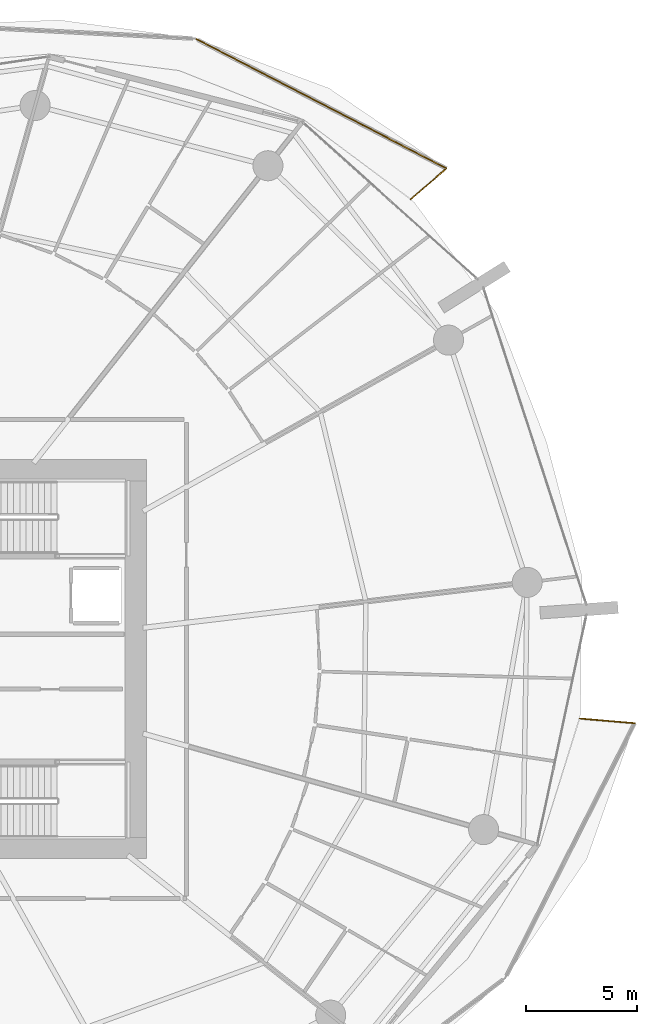
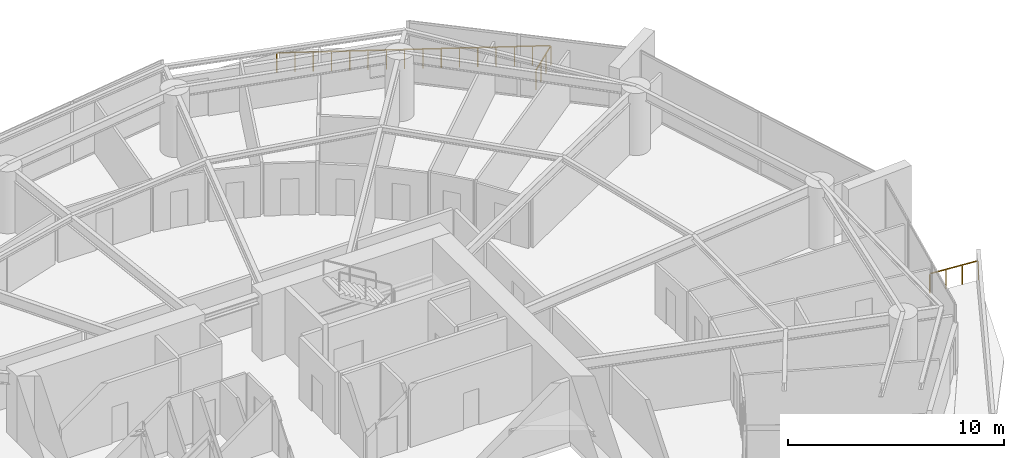
# One storey, part 31 of 31: 3 railings.
"""IFC4 building model written with IfcOpenShell, lengths in metres."""

from ifc_helpers import new_model, si_unit, direction, frame, origin, origin_2d, place, context, subcontext, project, spatial, rectangle, extrude, material, type_object, element, save


model = new_model("IFC4")

# Units and contexts
model_context = context("Model", 3, precision=1e-05, world=origin(), true_north=direction((0.0, 1.0)))
body_context = subcontext(model_context, "Body", "Model", "MODEL_VIEW")
ifc_project = project(units=[si_unit("LENGTHUNIT", "METRE"), si_unit("AREAUNIT", "SQUARE_METRE"), si_unit("VOLUMEUNIT", "CUBIC_METRE"), si_unit("PLANEANGLEUNIT", "RADIAN"), si_unit("MASSUNIT", "GRAM", prefix="KILO")], contexts=[model_context])

# Site, building, storey
site_placement = place(None, origin())
site = spatial("IfcSite", under=ifc_project, at=site_placement, CompositionType="ELEMENT")
building_placement = place(site_placement, origin())
building = spatial("IfcBuilding", under=site, at=building_placement, Name="Kazma Halo Residences", CompositionType="ELEMENT")
storey_placement = place(building_placement, frame((0.0, 0.0, 52.64990234375)))
storey = spatial("IfcBuildingStorey", under=building, at=storey_placement, Name="L12", CompositionType="ELEMENT", Elevation=52.64990234375)

# Railings
ifc_material = material(Name="Aluminium AW-6063 T6 Brushed Cap Rail", Category="aluminium")
railing_type = type_object("IfcRailingType", Name="RLG-BAL-CAP-1120", PredefinedType="BALUSTRADE", material=ifc_material)
railing_1_placement = place(storey_placement, frame((71.875732421875, 62.645263671875, 0.0)))
element("IfcRailing", 1, at=railing_1_placement, inside=storey, type_object=railing_type, Name="L12 NE wave balcony guard 1", PredefinedType="BALUSTRADE", context=body_context, shape_type="SweptSolid", body=[
    extrude(rectangle(XDim=0.050048828125, YDim=0.050048828125, at=origin_2d()), frame((0.0322265625, 0.02783203125, 1.09521484375), z_axis=(0.756401812862, 0.65410725229, 0.0), x_axis=(-0.65410725229, 0.756401812862, 0.0)), (0.0, 0.0, 1.0), 2.027099609375),
    extrude(rectangle(XDim=0.0400390625, YDim=0.0400390625, at=origin_2d()), origin(), (0.0, 0.0, 1.0), 1.05810546875),
    extrude(rectangle(XDim=0.0400390625, YDim=0.0400390625, at=origin_2d()), frame((0.532470703125, 0.46044921875, 0.0)), (0.0, 0.0, 1.0), 1.05810546875),
    extrude(rectangle(XDim=0.0400390625, YDim=0.0400390625, at=origin_2d()), frame((1.065185546875, 0.921142578125, 0.0)), (0.0, 0.0, 1.0), 1.05810546875),
    extrude(rectangle(XDim=0.0400390625, YDim=0.0400390625, at=origin_2d()), frame((1.59765625, 1.381591796875, 0.0)), (0.0, 0.0, 1.0), 1.05810546875),
])
railing_2_placement = place(storey_placement, frame((73.473388671875, 64.02685546875, 0.0)))
element("IfcRailing", 2, at=railing_2_placement, inside=storey, type_object=railing_type, Name="L12 NE wave balcony guard 2", PredefinedType="BALUSTRADE", context=body_context, shape_type="SweptSolid", body=[
    extrude(rectangle(XDim=0.050048828125, YDim=0.050048828125, at=origin_2d()), frame((-0.037841796875, 0.01953125, 1.09521484375), z_axis=(-0.888173808226, 0.459507656499, 0.0), x_axis=(-0.459507656499, -0.888173808226, 0.0)), (0.0, 0.0, 1.0), 12.612060546875),
    extrude(rectangle(XDim=0.0400390625, YDim=0.0400390625, at=origin_2d()), origin(), (0.0, 0.0, 1.0), 1.05810546875),
    extrude(rectangle(XDim=0.0400390625, YDim=0.0400390625, at=origin_2d()), frame((-0.751708984375, 0.388916015625, 0.0)), (0.0, 0.0, 1.0), 1.05810546875),
    extrude(rectangle(XDim=0.0400390625, YDim=0.0400390625, at=origin_2d()), frame((-1.503662109375, 0.77783203125, 0.0)), (0.0, 0.0, 1.0), 1.05810546875),
    extrude(rectangle(XDim=0.0400390625, YDim=0.0400390625, at=origin_2d()), frame((-2.25537109375, 1.1669921875, 0.0)), (0.0, 0.0, 1.0), 1.05810546875),
    extrude(rectangle(XDim=0.0400390625, YDim=0.0400390625, at=origin_2d()), frame((-3.00732421875, 1.555908203125, 0.0)), (0.0, 0.0, 1.0), 1.05810546875),
    extrude(rectangle(XDim=0.0400390625, YDim=0.0400390625, at=origin_2d()), frame((-3.759033203125, 1.94482421875, 0.0)), (0.0, 0.0, 1.0), 1.05810546875),
    extrude(rectangle(XDim=0.0400390625, YDim=0.0400390625, at=origin_2d()), frame((-4.510986328125, 2.333740234375, 0.0)), (0.0, 0.0, 1.0), 1.05810546875),
    extrude(rectangle(XDim=0.0400390625, YDim=0.0400390625, at=origin_2d()), frame((-5.2626953125, 2.72265625, 0.0)), (0.0, 0.0, 1.0), 1.05810546875),
    extrude(rectangle(XDim=0.0400390625, YDim=0.0400390625, at=origin_2d()), frame((-6.0146484375, 3.11181640625, 0.0)), (0.0, 0.0, 1.0), 1.05810546875),
    extrude(rectangle(XDim=0.0400390625, YDim=0.0400390625, at=origin_2d()), frame((-6.766357421875, 3.500732421875, 0.0)), (0.0, 0.0, 1.0), 1.05810546875),
    extrude(rectangle(XDim=0.0400390625, YDim=0.0400390625, at=origin_2d()), frame((-7.518310546875, 3.8896484375, 0.0)), (0.0, 0.0, 1.0), 1.05810546875),
    extrude(rectangle(XDim=0.0400390625, YDim=0.0400390625, at=origin_2d()), frame((-8.27001953125, 4.278564453125, 0.0)), (0.0, 0.0, 1.0), 1.05810546875),
    extrude(rectangle(XDim=0.0400390625, YDim=0.0400390625, at=origin_2d()), frame((-9.02197265625, 4.66748046875, 0.0)), (0.0, 0.0, 1.0), 1.05810546875),
    extrude(rectangle(XDim=0.0400390625, YDim=0.0400390625, at=origin_2d()), frame((-9.773681640625, 5.056640625, 0.0)), (0.0, 0.0, 1.0), 1.05810546875),
    extrude(rectangle(XDim=0.0400390625, YDim=0.0400390625, at=origin_2d()), frame((-10.525634765625, 5.445556640625, 0.0)), (0.0, 0.0, 1.0), 1.05810546875),
    extrude(rectangle(XDim=0.0400390625, YDim=0.0400390625, at=origin_2d()), frame((-11.27734375, 5.83447265625, 0.0)), (0.0, 0.0, 1.0), 1.05810546875),
])
railing_3_placement = place(storey_placement, frame((81.924560546875, 39.12158203125, 0.0)))
element("IfcRailing", 3, at=railing_3_placement, inside=storey, type_object=railing_type, Name="L12 SE wave balcony guard 4", PredefinedType="BALUSTRADE", context=body_context, shape_type="SweptSolid", body=[
    extrude(rectangle(XDim=0.050048828125, YDim=0.050048828125, at=origin_2d()), frame((-0.04248046875, 0.003662109375, 1.09521484375), z_axis=(-0.99642606074, 0.084469553555, 0.0), x_axis=(-0.084469553555, -0.99642606074, 0.0)), (0.0, 0.0, 1.0), 2.397705078125),
    extrude(rectangle(XDim=0.0400390625, YDim=0.0400390625, at=origin_2d()), origin(), (0.0, 0.0, 1.0), 1.05810546875),
    extrude(rectangle(XDim=0.0400390625, YDim=0.0400390625, at=origin_2d()), frame((-0.82470703125, 0.06982421875, 0.0)), (0.0, 0.0, 1.0), 1.05810546875),
    extrude(rectangle(XDim=0.0400390625, YDim=0.0400390625, at=origin_2d()), frame((-1.649169921875, 0.139892578125, 0.0)), (0.0, 0.0, 1.0), 1.05810546875),
    extrude(rectangle(XDim=0.0400390625, YDim=0.0400390625, at=origin_2d()), frame((-2.473876953125, 0.209716796875, 0.0)), (0.0, 0.0, 1.0), 1.05810546875),
])

save(model, "model.ifc")
